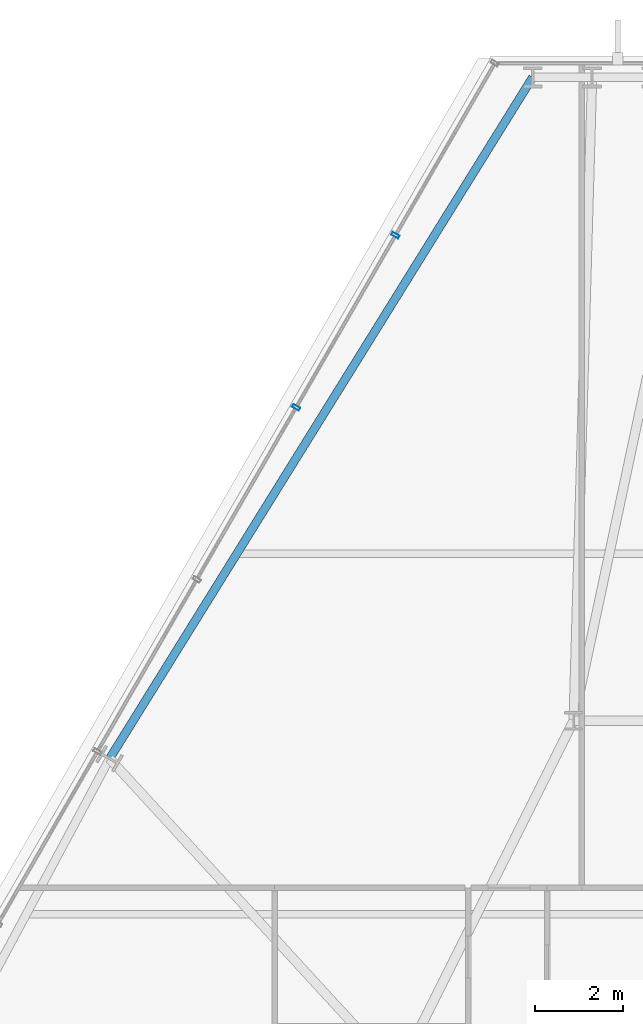
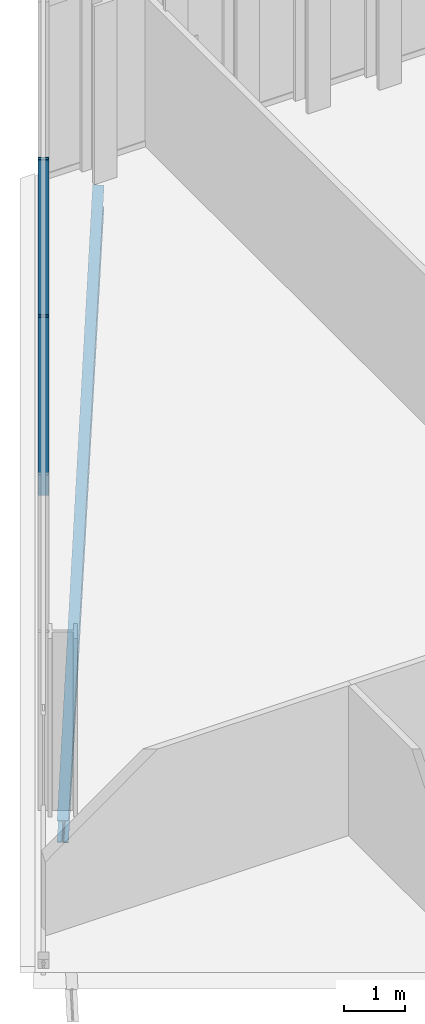
# One storey, part 21 of 33: 2 members, 1 beam, 1 element without a shape of its own.
"""IFC4 building model written with IfcOpenShell, lengths in metres."""

from ifc_helpers import new_model, si_unit, direction, frame, origin, origin_2d, place, context, subcontext, project, spatial, hollow_rectangle, i_section, extrude, material, layer, layer_set, material_profile, profile_set, type_object, element, aggregate, save


model = new_model("IFC4")

# Units and contexts
model_context = context("Model", 3, precision=1e-05, world=origin(), true_north=direction((0.0, 1.0)))
body_context = subcontext(model_context, "Body", "Model", "MODEL_VIEW")
ifc_project = project(units=[si_unit("LENGTHUNIT", "METRE"), si_unit("AREAUNIT", "SQUARE_METRE"), si_unit("VOLUMEUNIT", "CUBIC_METRE"), si_unit("PLANEANGLEUNIT", "RADIAN"), si_unit("MASSUNIT", "GRAM", prefix="KILO")], contexts=[model_context])

# Site, building, storey
site_placement = place(None, origin())
site = spatial("IfcSite", under=ifc_project, at=site_placement, CompositionType="ELEMENT")
building_placement = place(site_placement, origin())
building = spatial("IfcBuilding", under=site, at=building_placement, Name="Ndaravel Arena Tower", CompositionType="ELEMENT")
storey_placement = place(building_placement, frame((0.0, 0.0, 149.800048828125)))
storey = spatial("IfcBuildingStorey", under=building, at=storey_placement, Name="L35", CompositionType="ELEMENT", Elevation=149.800048828125)

# Beam
ifc_material_1 = material(Name="Steel S355", Category="steel")
ifc_material_profile_1 = material_profile(ifc_material_1, i_section(OverallWidth=0.18994140625, OverallDepth=0.449951171875, WebThickness=0.009521484375, FlangeThickness=0.0146484375, FilletRadius=0.02099609375, at=origin_2d()), Name="IPE 450")
ifc_profile_set_1 = profile_set([ifc_material_profile_1], Name="Steel S355")
beam_type = type_object("IfcBeamType", Name="BM-SPAN-IPE450", PredefinedType="SPANDREL", material=ifc_profile_set_1)
beam_placement = place(storey_placement, frame((37.268798828125, 45.833740234375, -0.445068359375), z_axis=(-0.52754211898, -0.849528876909, 0.0), x_axis=(0.849528876909, -0.52754211898, 0.0)))
element("IfcBeam", 1, at=beam_placement, inside=storey, type_object=beam_type, Name="L35 Perimeter Spandrel Beam SP-18", PredefinedType="SPANDREL", context=body_context, shape_type="SweptSolid", body=[
    extrude(i_section(OverallWidth=0.18994140625, OverallDepth=0.449951171875, WebThickness=0.009521484375, FlangeThickness=0.0146484375, FilletRadius=0.02099609375, at=origin_2d()), origin(), (0.0, 0.0, 1.0), 18.238525390625),
])

# Curtain wall, members
ifc_material_2 = material(Name="Aluminium", Category="aluminium")
ifc_layer = layer(ifc_material_2, 0.179931640625)
ifc_layer_set = layer_set([ifc_layer], Name="Aluminium")
curtain_wall_type = type_object("IfcCurtainWallType", Name="CW-SYS-03", PredefinedType="NOTDEFINED", material=ifc_layer_set)
curtain_wall_placement = place(storey_placement, origin())
curtain_wall = element("IfcCurtainWall", 2, at=curtain_wall_placement, inside=storey, type_object=curtain_wall_type, Name="L35 Faceted Crystal Curtain Wall CW-L35-E05", PredefinedType="NOTDEFINED")
ifc_material_3 = material(Name="Aluminium", Category="aluminium")
ifc_material_profile_2 = material_profile(ifc_material_3, hollow_rectangle(XDim=0.074951171875, YDim=0.179931640625, WallThickness=0.00390625, at=origin_2d()), Name="CW MULLION 75x180x4")
ifc_profile_set_2 = profile_set([ifc_material_profile_2], Name="Aluminium")
member_type = type_object("IfcMemberType", Name="MEM-CW-MUL180", PredefinedType="MULLION", material=ifc_profile_set_2)
member_1_placement = place(storey_placement, frame((34.148681640625, 42.240234375, 0.0), z_axis=(0.0, 0.0, 1.0), x_axis=(-0.5, -0.866025403784, 0.0)))
member_1 = element("IfcMember", 3, at=member_1_placement, type_object=member_type, Name="CW-L35-E05 Mullion 01", PredefinedType="MULLION", context=body_context, shape_type="SweptSolid", body=[
    extrude(hollow_rectangle(XDim=0.074951171875, YDim=0.179931640625, WallThickness=0.00390625, at=origin_2d()), origin(), (0.0, 0.0, 1.0), 3.579833984375),
])
member_2_placement = place(storey_placement, frame((31.88916015625, 38.32666015625, 0.0), z_axis=(0.0, 0.0, 1.0), x_axis=(-0.5, -0.866025403784, 0.0)))
member_2 = element("IfcMember", 4, at=member_2_placement, type_object=member_type, Name="CW-L35-E05 Mullion 02", PredefinedType="MULLION", context=body_context, shape_type="SweptSolid", body=[
    extrude(hollow_rectangle(XDim=0.074951171875, YDim=0.179931640625, WallThickness=0.00390625, at=origin_2d()), origin(), (0.0, 0.0, 1.0), 3.579833984375),
])
aggregate(curtain_wall, [member_1, member_2])

save(model, "model.ifc")
